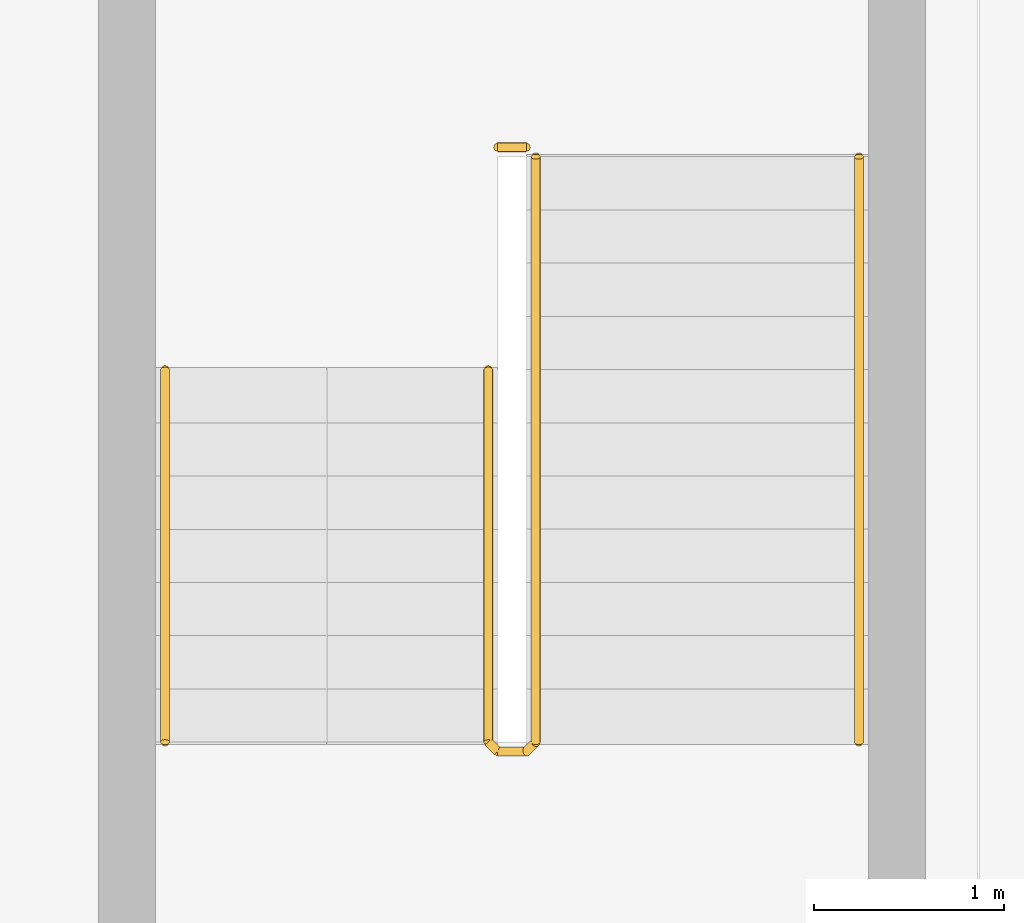
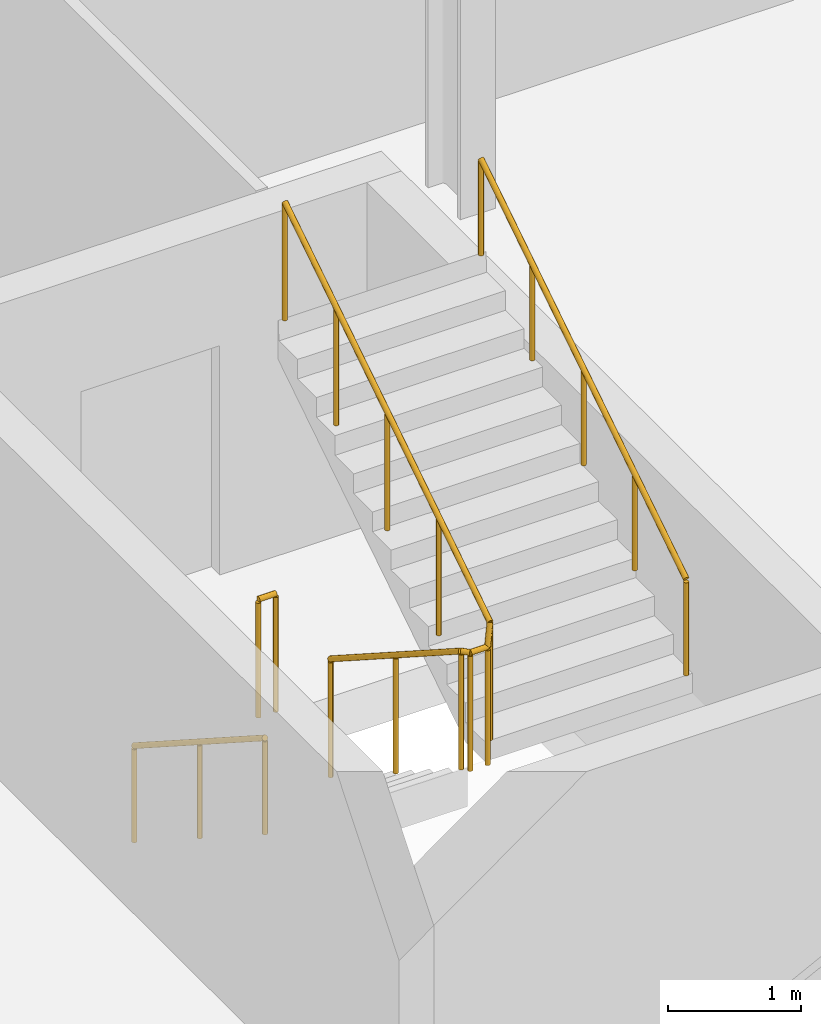
# One storey, part 23 of 25: 4 railings.
"""IFC4 building model written with IfcOpenShell, lengths in metres."""

import ifcopenshell
import ifcopenshell.guid

model = None  # the IFC model being written
_history = None  # IfcOwnerHistory: only IFC2X3 demands one
_inside = {}  # id of a spatial element -> (the spatial element, [elements in it])
_under = {}  # id of a project, library or spatial element -> (it, [spatial elements below it])
_declared = {}  # id of a project -> (the project, [libraries it declares])
_typed = {}  # id of a type object -> (the type object, [elements of that type])
_made_of = {}  # id of a material, layer set ... -> (it, [elements and type objects made of it])


def new_model(schema):
    """Start an empty IFC model of exactly this schema.

    Asked for "IFC4X3", IfcOpenShell would pick the latest addendum, in which some entities
    have other attributes; the version numbers below select the first issue.
    IFC2X3 requires an IfcOwnerHistory on every rooted entity: one is made here for all.
    """
    global model, _history
    if schema == "IFC4X3":
        model = ifcopenshell.file(schema_version=(4, 3, 0, 0))
    else:
        model = ifcopenshell.file(schema=schema)
    _inside.clear()
    _under.clear()
    _declared.clear()
    _typed.clear()
    _made_of.clear()
    _history = None
    if model.schema == "IFC2X3":
        org = make("IfcOrganization", Name="unknown")
        user = make(
            "IfcPersonAndOrganization",
            ThePerson=make("IfcPerson", FamilyName="unknown"),
            TheOrganization=org,
        )
        app = make(
            "IfcApplication",
            ApplicationDeveloper=org,
            Version="unknown",
            ApplicationFullName="unknown",
            ApplicationIdentifier="unknown",
        )
        _history = make(
            "IfcOwnerHistory",
            OwningUser=user,
            OwningApplication=app,
            ChangeAction="ADDED",
            CreationDate=0,
        )
    return model


def make(cls, **values):
    """One entity of the class cls with the attributes given. An attribute that is None is left unset."""
    return model.create_entity(
        cls, **{name: value for name, value in values.items() if value is not None}
    )


def rooted(cls, **values):
    """An entity with a GlobalId (a new one), such as an element, a storey or a relation."""
    return make(cls, GlobalId=ifcopenshell.guid.new(), OwnerHistory=_history, **values)


def si_unit(unit_type, name, prefix=None):
    """IfcSIUnit, for example si_unit("LENGTHUNIT", "METRE", prefix="MILLI")."""
    return make("IfcSIUnit", UnitType=unit_type, Prefix=prefix, Name=name)


def assignment(units):
    """IfcUnitAssignment: the units of a project."""
    return None if units is None else make("IfcUnitAssignment", Units=units)


def point(xyz):
    """IfcCartesianPoint."""
    return None if xyz is None else make("IfcCartesianPoint", Coordinates=xyz)


def direction(xyz):
    """IfcDirection."""
    return None if xyz is None else make("IfcDirection", DirectionRatios=xyz)


def frame(location, z_axis=None, x_axis=None):
    """IfcAxis2Placement3D, a coordinate frame: its origin and axes. An axis left out is left unset."""
    return make(
        "IfcAxis2Placement3D",
        Location=point(location),
        Axis=direction(z_axis),
        RefDirection=direction(x_axis),
    )


def frame_2d(location, x_axis=None):
    """IfcAxis2Placement2D, a coordinate frame in the plane: its origin and x axis."""
    return make(
        "IfcAxis2Placement2D", Location=point(location), RefDirection=direction(x_axis)
    )


def origin():
    """The frame at (0, 0, 0) with its axes left unset."""
    return frame((0.0, 0.0, 0.0))


def origin_2d():
    """The frame at (0, 0) in the plane with its x axis left unset."""
    return frame_2d((0.0, 0.0))


def place(relative_to, where):
    """IfcLocalPlacement: puts the frame where relative to a parent placement (None: the world)."""
    return make(
        "IfcLocalPlacement", PlacementRelTo=relative_to, RelativePlacement=where
    )


def context(
    kind, dimensions, precision=None, world=None, true_north=None, identifier=None
):
    """IfcGeometricRepresentationContext, for example the 3D "Model" context."""
    return make(
        "IfcGeometricRepresentationContext",
        ContextIdentifier=identifier,
        ContextType=kind,
        CoordinateSpaceDimension=dimensions,
        Precision=precision,
        WorldCoordinateSystem=world,
        TrueNorth=true_north,
    )


def subcontext(parent, identifier, kind, view, scale=None):
    """IfcGeometricRepresentationSubContext, for example "Body" below "Model"."""
    return make(
        "IfcGeometricRepresentationSubContext",
        ContextIdentifier=identifier,
        ContextType=kind,
        ParentContext=parent,
        TargetScale=scale,
        TargetView=view,
    )


def project(units=None, contexts=None):
    """IfcProject with its units and contexts."""
    return rooted(
        "IfcProject",
        Name="project",
        RepresentationContexts=contexts,
        UnitsInContext=assignment(units),
    )


def spatial(cls, under=None, at=None, **own):
    """A site, building, storey or space (cls), placed at a placement, below another one or the project."""
    s = rooted(cls, ObjectPlacement=at, **own)
    if under is not None:
        _under.setdefault(under.id(), (under, []))[1].append(s)
    return s


def profile(cls, at=None, kind="AREA", **sizes):
    """A parametric profile (cls). Its sizes go by their IFC names, for example OverallWidth=200.0."""
    return make(cls, ProfileType=kind, Position=at, **sizes)


def circle(**sizes):
    """IfcCircleProfileDef."""
    return profile("IfcCircleProfileDef", **sizes)


def extrude(swept, where, along, depth):
    """IfcExtrudedAreaSolid: the profile swept, set in the frame where, extruded along a direction by depth."""
    return make(
        "IfcExtrudedAreaSolid",
        SweptArea=swept,
        Position=where,
        ExtrudedDirection=direction(along),
        Depth=depth,
    )


def shape(context_of_items, identifier, shape_type, items):
    """IfcShapeRepresentation: the items that make up one representation, for example the "Body"."""
    return make(
        "IfcShapeRepresentation",
        ContextOfItems=context_of_items,
        RepresentationIdentifier=identifier,
        RepresentationType=shape_type,
        Items=items,
    )


def material(Name=None, Category=None):
    """IfcMaterial."""
    return make("IfcMaterial", Name=Name, Category=Category)


def made_of(thing, what):
    """Note that an element or type object is made of a material, layer set ...; save() writes the relation."""
    if what is not None:
        _made_of.setdefault(what.id(), (what, []))[1].append(thing)
    return thing


def type_object(cls, material=None, **own):
    """A type object (cls), such as IfcWallType, which elements share."""
    return made_of(rooted(cls, **own), material)


def element(
    cls,
    number,
    at=None,
    inside=None,
    cuts=None,
    type_object=None,
    material=None,
    context=None,
    identifier="Body",
    shape_type=None,
    held_by="IfcProductDefinitionShape",
    body=None,
    shapes=None,
    **own,
):
    """One element of the class cls, such as IfcWall. Its Tag is "e" and its number.

    at: its placement. inside: the storey or other place that contains it. cuts: it is an
    opening in that element (IfcRelVoidsElement). A single representation is given by context,
    identifier, shape_type and body (its items); several are given by shapes. held_by: the class
    of the entity that holds the representations. save() writes the other relations.
    """
    e = rooted(cls, Tag="e%d" % number, ObjectPlacement=at, **own)
    if body is not None:
        shapes = [shape(context, identifier, shape_type, body)]
    if shapes is not None:
        e.Representation = make(held_by, Representations=shapes)
    if inside is not None:
        _inside.setdefault(inside.id(), (inside, []))[1].append(e)
    if cuts is not None:
        rooted(
            "IfcRelVoidsElement", RelatingBuildingElement=cuts, RelatedOpeningElement=e
        )
    if type_object is not None:
        _typed.setdefault(type_object.id(), (type_object, []))[1].append(e)
    return made_of(e, material)


def aggregate(whole, parts):
    """IfcRelAggregates: a whole, such as a stair, and the parts it consists of."""
    return rooted("IfcRelAggregates", RelatingObject=whole, RelatedObjects=parts)


def save(model, path):
    """Write the relations noted so far, then the file.

    IfcRelAggregates (storeys below a building ...), IfcRelContainedInSpatialStructure (elements
    in a storey), IfcRelDefinesByType, IfcRelAssociatesMaterial and IfcRelDeclares: one each for
    every whole, place, type object, material and project.
    """
    for whole, parts in _under.values():
        aggregate(whole, parts)
    for where, things in _inside.values():
        rooted(
            "IfcRelContainedInSpatialStructure",
            RelatedElements=things,
            RelatingStructure=where,
        )
    for kind, things in _typed.values():
        rooted("IfcRelDefinesByType", RelatedObjects=things, RelatingType=kind)
    for what, things in _made_of.values():
        rooted("IfcRelAssociatesMaterial", RelatedObjects=things, RelatingMaterial=what)
    for by, libraries in _declared.values():
        rooted("IfcRelDeclares", RelatingContext=by, RelatedDefinitions=libraries)
    model.write(path)


model = new_model("IFC4")

# Units and contexts
model_context = context("Model", 3, precision=1e-05, world=origin(), true_north=direction((0.0, 1.0)))
body_context = subcontext(model_context, "Body", "Model", "MODEL_VIEW")
ifc_project = project(units=[si_unit("LENGTHUNIT", "METRE"), si_unit("AREAUNIT", "SQUARE_METRE"), si_unit("VOLUMEUNIT", "CUBIC_METRE"), si_unit("PLANEANGLEUNIT", "RADIAN"), si_unit("MASSUNIT", "GRAM", prefix="KILO")], contexts=[model_context])

# Site, building, storey
site_placement = place(None, origin())
site = spatial("IfcSite", under=ifc_project, at=site_placement, CompositionType="ELEMENT")
building_placement = place(site_placement, origin())
building = spatial("IfcBuilding", under=site, at=building_placement, Name="Wharfspan Tower", CompositionType="ELEMENT")
storey_placement = place(building_placement, frame((0.0, 0.0, 143.5)))
storey = spatial("IfcBuildingStorey", under=building, at=storey_placement, Name="L34", CompositionType="ELEMENT", Elevation=143.5)

# Railings
ifc_material = material(Name="Steel S355J2", Category="steel")
railing_type_1 = type_object("IfcRailingType", Name="Stair guard 1100", PredefinedType="GUARDRAIL", material=ifc_material)
railing_1_placement = place(storey_placement, frame((43.235352, 5.197021, 0.179932)))
element("IfcRailing", 1, at=railing_1_placement, inside=storey, type_object=railing_type_1, Name="L34 ST4 stair guard 1", PredefinedType="GUARDRAIL", context=body_context, shape_type="SweptSolid", body=[
    extrude(circle(Radius=0.023926, at=origin_2d()), frame((0.0, 0.0, 1.076172), z_axis=(0.0, -0.841172, 0.540768), x_axis=(1.0, 0.0, 0.0)), (0.0, 0.0, 1.0), 2.330078),
    extrude(circle(Radius=0.023926, at=origin_2d()), frame((0.0, -1.959961, 2.335938), z_axis=(0.705376, -0.708834, 0.0), x_axis=(0.708834, 0.705376, 0.0)), (0.0, 0.0, 1.0), 0.070557),
    extrude(circle(Radius=0.023926, at=origin_2d()), frame((0.049805, -2.01001, 2.335938), z_axis=(1.0, 0.0, 0.0), x_axis=(0.0, 1.0, 0.0)), (0.0, 0.0, 1.0), 0.150146),
    extrude(circle(Radius=0.023926, at=origin_2d()), frame((0.199951, -2.01001, 2.335938), z_axis=(0.258544, 0.258544, 0.930758), x_axis=(-0.707107, 0.707107, 0.0)), (0.0, 0.0, 1.0), 0.193604),
    extrude(circle(Radius=0.023926, at=origin_2d()), frame((0.25, -1.959961, 2.516113), z_axis=(0.0, 0.841168, 0.540774), x_axis=(-1.0, 0.0, 0.0)), (0.0, 0.0, 1.0), 3.661377),
    extrude(circle(Radius=0.020996, at=origin_2d()), origin(), (0.0, 0.0, 1.0), 1.052002),
    extrude(circle(Radius=0.020996, at=origin_2d()), frame((0.0, -0.97998, 0.629883)), (0.0, 0.0, 1.0), 1.052002),
    extrude(circle(Radius=0.020996, at=origin_2d()), frame((0.0, -1.959961, 1.26001)), (0.0, 0.0, 1.0), 1.052002),
    extrude(circle(Radius=0.020996, at=origin_2d()), frame((0.049805, -2.01001, 1.26001)), (0.0, 0.0, 1.0), 1.052002),
    extrude(circle(Radius=0.020996, at=origin_2d()), frame((0.199951, -2.01001, 1.26001)), (0.0, 0.0, 1.0), 1.052002),
    extrude(circle(Radius=0.020996, at=origin_2d()), frame((0.25, -1.959961, 1.440186)), (0.0, 0.0, 1.0), 1.052002),
    extrude(circle(Radius=0.020996, at=origin_2d()), frame((0.25, -1.189941, 1.935059)), (0.0, 0.0, 1.0), 1.052002),
    extrude(circle(Radius=0.020996, at=origin_2d()), frame((0.25, -0.419922, 2.430176)), (0.0, 0.0, 1.0), 1.052002),
    extrude(circle(Radius=0.020996, at=origin_2d()), frame((0.25, 0.349854, 2.925293)), (0.0, 0.0, 1.0), 1.052002),
    extrude(circle(Radius=0.020996, at=origin_2d()), frame((0.25, 1.119873, 3.420166)), (0.0, 0.0, 1.0), 1.052002),
])
railing_2_placement = place(storey_placement, frame((43.285156, 6.366943, 0.0)))
element("IfcRailing", 2, at=railing_2_placement, inside=storey, type_object=railing_type_1, Name="L34 ST4 stair guard 2", PredefinedType="GUARDRAIL", context=body_context, shape_type="SweptSolid", body=[
    extrude(circle(Radius=0.023926, at=origin_2d()), frame((0.0, 0.0, 1.076172), z_axis=(1.0, 0.0, 0.0), x_axis=(0.0, 1.0, 0.0)), (0.0, 0.0, 1.0), 0.150146),
    extrude(circle(Radius=0.020996, at=origin_2d()), origin(), (0.0, 0.0, 1.0), 1.052002),
    extrude(circle(Radius=0.020996, at=origin_2d()), frame((0.150146, 0.0, 0.0)), (0.0, 0.0, 1.0), 1.052002),
])
railing_type_2 = type_object("IfcRailingType", Name="Stair handrail 900", PredefinedType="HANDRAIL", material=ifc_material)
railing_3_placement = place(storey_placement, frame((41.535156, 5.197021, 0.179932)))
element("IfcRailing", 3, at=railing_3_placement, inside=storey, type_object=railing_type_2, Name="L34 ST4 stair handrail 1", PredefinedType="HANDRAIL", context=body_context, shape_type="SweptSolid", body=[
    extrude(circle(Radius=0.023926, at=origin_2d()), frame((0.0, 0.0, 0.875977), z_axis=(0.0, -0.841172, 0.540768), x_axis=(1.0, 0.0, 0.0)), (0.0, 0.0, 1.0), 2.330078),
    extrude(circle(Radius=0.020996, at=origin_2d()), origin(), (0.0, 0.0, 1.0), 0.851807),
    extrude(circle(Radius=0.020996, at=origin_2d()), frame((0.0, -0.97998, 0.629883)), (0.0, 0.0, 1.0), 0.851807),
    extrude(circle(Radius=0.020996, at=origin_2d()), frame((0.0, -1.959961, 1.26001)), (0.0, 0.0, 1.0), 0.851807),
])
railing_4_placement = place(storey_placement, frame((45.185303, 3.237061, 1.620117)))
element("IfcRailing", 4, at=railing_4_placement, inside=storey, type_object=railing_type_2, Name="L34 ST4 stair handrail 2", PredefinedType="HANDRAIL", context=body_context, shape_type="SweptSolid", body=[
    extrude(circle(Radius=0.023926, at=origin_2d()), frame((0.0, 0.0, 0.875977), z_axis=(0.0, 0.841168, 0.540774), x_axis=(-1.0, 0.0, 0.0)), (0.0, 0.0, 1.0), 3.661377),
    extrude(circle(Radius=0.020996, at=origin_2d()), origin(), (0.0, 0.0, 1.0), 0.851807),
    extrude(circle(Radius=0.020996, at=origin_2d()), frame((0.0, 0.77002, 0.495117)), (0.0, 0.0, 1.0), 0.851807),
    extrude(circle(Radius=0.020996, at=origin_2d()), frame((0.0, 1.540039, 0.98999)), (0.0, 0.0, 1.0), 0.851807),
    extrude(circle(Radius=0.020996, at=origin_2d()), frame((0.0, 2.309814, 1.484863)), (0.0, 0.0, 1.0), 0.851807),
    extrude(circle(Radius=0.020996, at=origin_2d()), frame((0.0, 3.079834, 1.97998)), (0.0, 0.0, 1.0), 0.851807),
])

save(model, "model.ifc")
